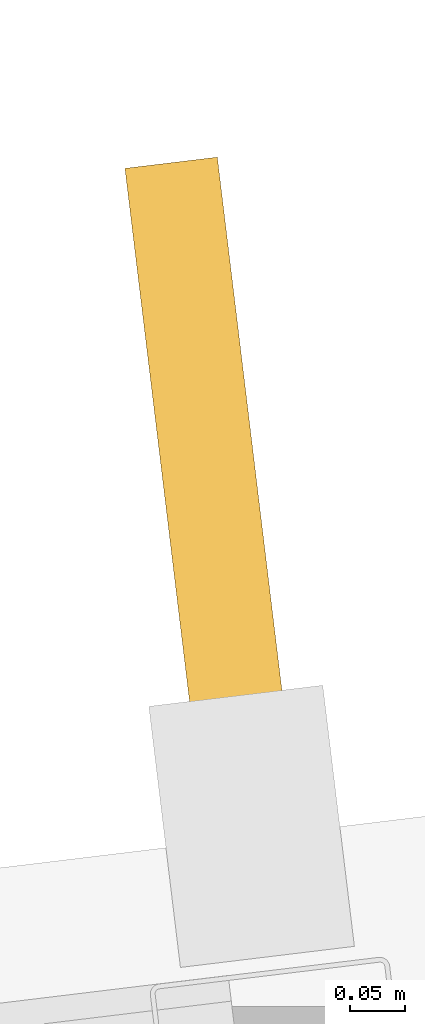
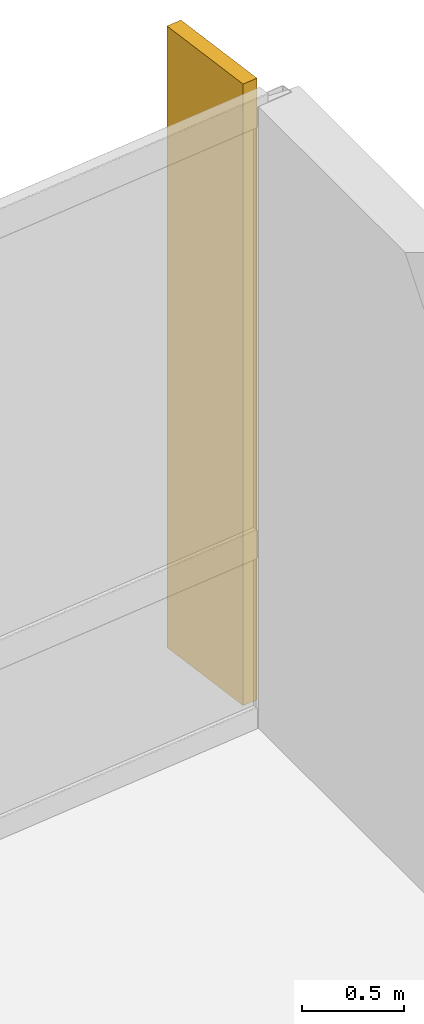
# One storey, part 17 of 17: 1 shading device.
"""IFC4 building model written with IfcOpenShell, lengths in metres."""

from ifc_helpers import new_model, si_unit, direction, frame, origin, origin_2d, place, context, subcontext, project, spatial, rectangle, extrude, material, layer, layer_set, type_object, element, save


model = new_model("IFC4")

# Units and contexts
model_context = context("Model", 3, precision=1e-05, world=origin(), true_north=direction((0.0, 1.0)))
body_context = subcontext(model_context, "Body", "Model", "MODEL_VIEW")
ifc_project = project(units=[si_unit("LENGTHUNIT", "METRE"), si_unit("AREAUNIT", "SQUARE_METRE"), si_unit("VOLUMEUNIT", "CUBIC_METRE"), si_unit("PLANEANGLEUNIT", "RADIAN"), si_unit("MASSUNIT", "GRAM", prefix="KILO")], contexts=[model_context])

# Site, building, storey
site_placement = place(None, origin())
site = spatial("IfcSite", under=ifc_project, at=site_placement, CompositionType="ELEMENT")
building_placement = place(site_placement, origin())
building = spatial("IfcBuilding", under=site, at=building_placement, Name="Varnakote Quay Hospital", CompositionType="ELEMENT")
storey_placement = place(building_placement, frame((0.0, 0.0, 111.25)))
storey = spatial("IfcBuildingStorey", under=building, at=storey_placement, Name="L27", CompositionType="ELEMENT", Elevation=111.25)

# Shading device
ifc_material = material(Name="Anodised aluminium 6063-T6 Bronze", Category="aluminium")
ifc_layer = layer(ifc_material, 0.0849609375)
ifc_layer_set = layer_set([ifc_layer], Name="Anodised aluminium 6063-T6 Bronze")
shading_device_type = type_object("IfcShadingDeviceType", Name="SHD-BRONZE-FIN-620", PredefinedType="USERDEFINED", material=ifc_layer_set)
shading_device_placement = place(storey_placement, frame((53.9462890625, 33.381591796875, 0.0), z_axis=(0.0, 0.0, 1.0), x_axis=(0.120310105847, -0.992736358975, 0.0)))
element("IfcShadingDevice", 1, at=shading_device_placement, inside=storey, type_object=shading_device_type, Name="L27 Anodised Bronze Vertical Shading FIN", ObjectType="FIN", PredefinedType="USERDEFINED", context=body_context, shape_type="SweptSolid", body=[
    extrude(rectangle(XDim=0.6201171875, YDim=0.0849609375, at=origin_2d()), origin(), (0.0, 0.0, 1.0), 3.7099609375),
])

save(model, "model.ifc")
